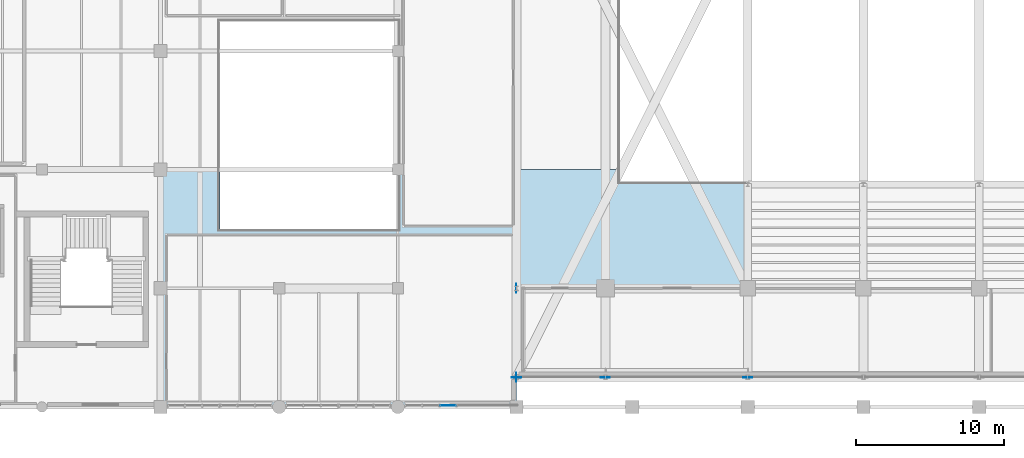
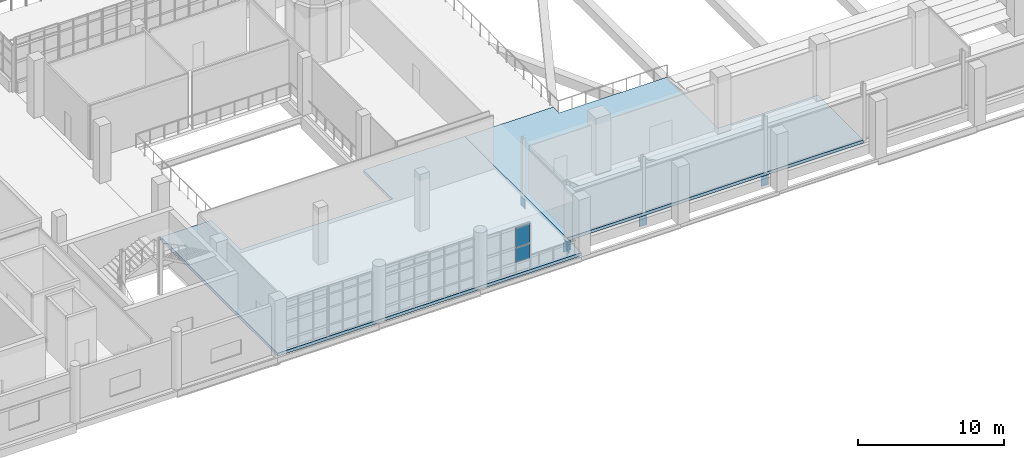
# One storey, part 61 of 100: 7 plates, 2 slabs, 1 element without a shape of its own.
"""IFC4 building model written with IfcOpenShell, lengths in metres."""

from ifc_helpers import new_model, si_unit, derived_unit, direction, frame, origin, origin_2d, place, context, subcontext, project, spatial, polyline, rectangle, outline, extrude, material, layer, layer_set, type_object, element, aggregate, save


model = new_model("IFC4")

# Units and contexts
model_context = context("Model", 3, precision=1e-05, world=origin(), true_north=direction((0.0, 1.0)))
body_context = subcontext(model_context, "Body", "Model", "MODEL_VIEW")
ifc_project = project(units=[si_unit("LENGTHUNIT", "METRE"), si_unit("AREAUNIT", "SQUARE_METRE"), si_unit("VOLUMEUNIT", "CUBIC_METRE"), si_unit("PLANEANGLEUNIT", "RADIAN"), si_unit("MASSUNIT", "GRAM", prefix="KILO"), derived_unit("THERMALTRANSMITTANCEUNIT", [(si_unit("POWERUNIT", "WATT"), 1), (si_unit("LENGTHUNIT", "METRE"), -2), (si_unit("THERMODYNAMICTEMPERATUREUNIT", "KELVIN"), -1)])], contexts=[model_context])

# Site, building, storey
site_placement = place(None, origin())
site = spatial("IfcSite", under=ifc_project, at=site_placement, CompositionType="ELEMENT")
building_placement = place(site_placement, origin())
building = spatial("IfcBuilding", under=site, at=building_placement, Name="Nallur Shell Playhouse", CompositionType="ELEMENT")
storey_placement = place(building_placement, frame((0.0, 0.0, 10.199951171875)))
storey = spatial("IfcBuildingStorey", under=building, at=storey_placement, Name="L03", CompositionType="ELEMENT", Elevation=10.199951171875)

# Plates
ifc_material_1 = material(Name="Steel E350", Category="steel")
ifc_layer_1 = layer(ifc_material_1, 0.02001953125)
ifc_layer_set_1 = layer_set([ifc_layer_1], Name="Steel E350")
plate_type_1 = type_object("IfcPlateType", Name="PT-ENDCAP-20", PredefinedType="SHEET", material=ifc_layer_set_1)
plate_1_placement = place(storey_placement, frame((63.989990234375, 16.0, -1.06005859375), z_axis=(0.0, 0.0, 1.0), x_axis=(1.0, 0.0, 0.0)))
element("IfcPlate", 1, at=plate_1_placement, inside=storey, type_object=plate_type_1, Name="Hollow end cap EC-TT-1-TC0", PredefinedType="SHEET", context=body_context, shape_type="SweptSolid", body=[
    extrude(rectangle(XDim=0.02001953125, YDim=0.60009765625, at=origin_2d()), origin(), (0.0, 0.0, 1.0), 0.800048828125),
])
for number, where, z_axis, x_axis, name in (
    (2, (70.0, 9.989990234375, -1.06005859375), (0.0, 0.0, 1.0), (1.0, 0.0, 0.0), "Hollow end cap EC-TT-3-TC0"),
    (3, (79.60009765625, 9.989990234375, -1.06005859375), (0.0, 0.0, 1.0), (1.0, 0.0, 0.0), "Hollow end cap EC-TT-4-TC0"),
):
    element("IfcPlate", number, at=place(storey_placement, frame(where, z_axis=z_axis, x_axis=x_axis)), inside=storey, type_object=plate_type_1, Name=name, PredefinedType="SHEET", context=body_context, shape_type="SweptSolid", body=[
        extrude(rectangle(XDim=0.60009765625, YDim=0.02001953125, at=origin_2d()), origin(), (0.0, 0.0, 1.0), 0.800048828125),
    ])
plate_2_placement = place(storey_placement, frame((63.989990234375, 10.0, -1.06982421875), z_axis=(0.0, 0.0, 1.0), x_axis=(1.0, 0.0, 0.0)))
element("IfcPlate", 4, at=plate_2_placement, inside=storey, type_object=plate_type_1, Name="Hollow end cap EC-GB-L03-SA", PredefinedType="SHEET", context=body_context, shape_type="SweptSolid", body=[
    extrude(rectangle(XDim=0.02001953125, YDim=0.6201171875, at=origin_2d()), origin(), (0.0, 0.0, 1.0), 0.820068359375),
])
plate_3_placement = place(storey_placement, frame((64.0, 9.989990234375, -1.06982421875), z_axis=(0.0, 0.0, 1.0), x_axis=(1.0, 0.0, 0.0)))
element("IfcPlate", 5, at=plate_3_placement, inside=storey, type_object=plate_type_1, Name="Hollow end cap EC-GB-L03-WA", PredefinedType="SHEET", context=body_context, shape_type="SweptSolid", body=[
    extrude(rectangle(XDim=0.6201171875, YDim=0.02001953125, at=origin_2d()), origin(), (0.0, 0.0, 1.0), 0.820068359375),
])

# Curtain wall, plates
ifc_material_2 = material(Name="Anodised Aluminium Double-Glazed Facade System", Category="aluminium")
ifc_layer_2 = layer(ifc_material_2, 0.16796875)
ifc_layer_set_2 = layer_set([ifc_layer_2], Name="Anodised Aluminium Double-Glazed Facade System")
curtain_wall_type = type_object("IfcCurtainWallType", Name="CW-UNIT-02", PredefinedType="NOTDEFINED", material=ifc_layer_set_2)
curtain_wall_placement = place(storey_placement, origin())
curtain_wall = element("IfcCurtainWall", 6, at=curtain_wall_placement, inside=storey, type_object=curtain_wall_type, Name="Unitised curtain wall CW-098 (L03)", PredefinedType="NOTDEFINED")
ifc_material_3 = material(Name="Solar-Control Low-E Laminated Insulating Glass", Category="glass")
ifc_layer_3 = layer(ifc_material_3, 0.028076171875)
ifc_layer_set_3 = layer_set([ifc_layer_3], Name="Solar-Control Low-E Laminated Insulating Glass")
plate_type_2 = type_object("IfcPlateType", Name="PT-GLZ-02", PredefinedType="CURTAIN_PANEL", material=ifc_layer_set_3)
plate_4_placement = place(storey_placement, frame((59.385498046875, 8.090087890625, 0.942138671875), z_axis=(0.0, 0.0, 1.0), x_axis=(-1.0, 0.0, 0.0)))
plate_4 = element("IfcPlate", 7, at=plate_4_placement, type_object=plate_type_2, Name="CW-02 panel 1.2", PredefinedType="CURTAIN_PANEL", context=body_context, shape_type="SweptSolid", body=[
    extrude(rectangle(XDim=1.074951171875, YDim=0.028076171875, at=origin_2d()), origin(), (0.0, 0.0, 1.0), 1.19189453125),
])
plate_5_placement = place(storey_placement, frame((59.385498046875, 8.090087890625, 2.21826171875), z_axis=(0.0, 0.0, 1.0), x_axis=(-1.0, 0.0, 0.0)))
plate_5 = element("IfcPlate", 8, at=plate_5_placement, type_object=plate_type_2, Name="CW-02 panel 1.3", PredefinedType="CURTAIN_PANEL", context=body_context, shape_type="SweptSolid", body=[
    extrude(rectangle(XDim=1.074951171875, YDim=0.028076171875, at=origin_2d()), origin(), (0.0, 0.0, 1.0), 1.574951171875),
])
aggregate(curtain_wall, [plate_4, plate_5])

# Slabs
ifc_material_4 = material(Name="Concrete M30", Category="concrete")
ifc_layer_4 = layer(ifc_material_4, 0.260009765625)
ifc_layer_set_4 = layer_set([ifc_layer_4], Name="Concrete M30")
slab_type = type_object("IfcSlabType", Name="SL-FLOOR-260", PredefinedType="FLOOR", material=ifc_layer_set_4)
slab_1_placement = place(storey_placement, frame((0.0, 0.0, -0.260009765625)))
element("IfcSlab", 9, at=slab_1_placement, inside=storey, type_object=slab_type, Name="L03 structural floor slab panel 06", PredefinedType="FLOOR", context=body_context, shape_type="SweptSolid", body=[
    extrude(outline(polyline([(64.0, 8.0), (40.0, 8.0), (40.0, 24.0), (44.0, 24.0), (44.0, 20.0), (56.0, 20.0), (56.0, 24.0), (64.0, 24.0), (64.0, 10.0), (64.0, 8.0)])), origin(), (0.0, 0.0, 1.0), 0.260009765625),
])
slab_2_placement = place(storey_placement, frame((0.0, 0.0, -0.260009765625)))
element("IfcSlab", 10, at=slab_2_placement, inside=storey, type_object=slab_type, Name="L03 structural floor slab panel 11", PredefinedType="FLOOR", context=body_context, shape_type="SweptSolid", body=[
    extrude(outline(polyline([(64.0, 10.0), (64.0, 24.0), (71.0, 24.0), (71.0, 23.199951171875), (79.5, 23.199951171875), (79.5, 16.199951171875), (87.39990234375, 16.199951171875), (87.39990234375, 10.0), (64.0, 10.0)])), origin(), (0.0, 0.0, 1.0), 0.260009765625),
])

save(model, "model.ifc")
